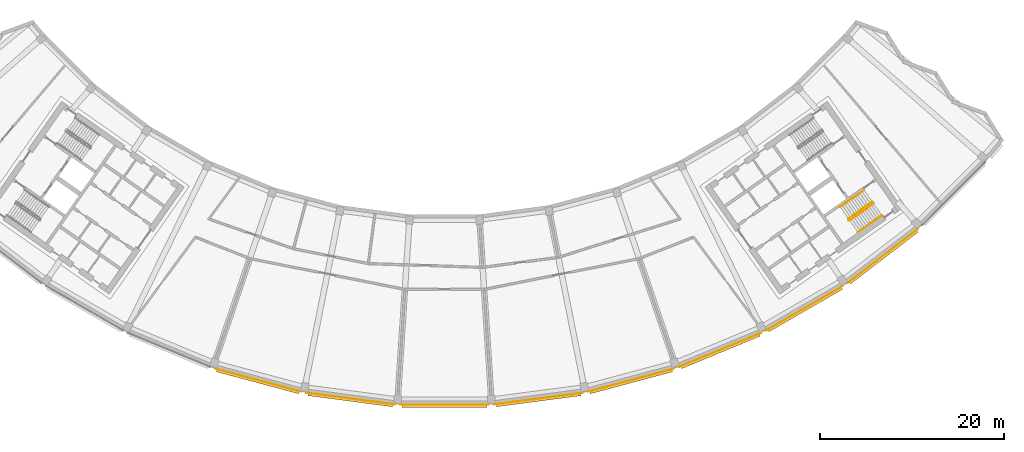
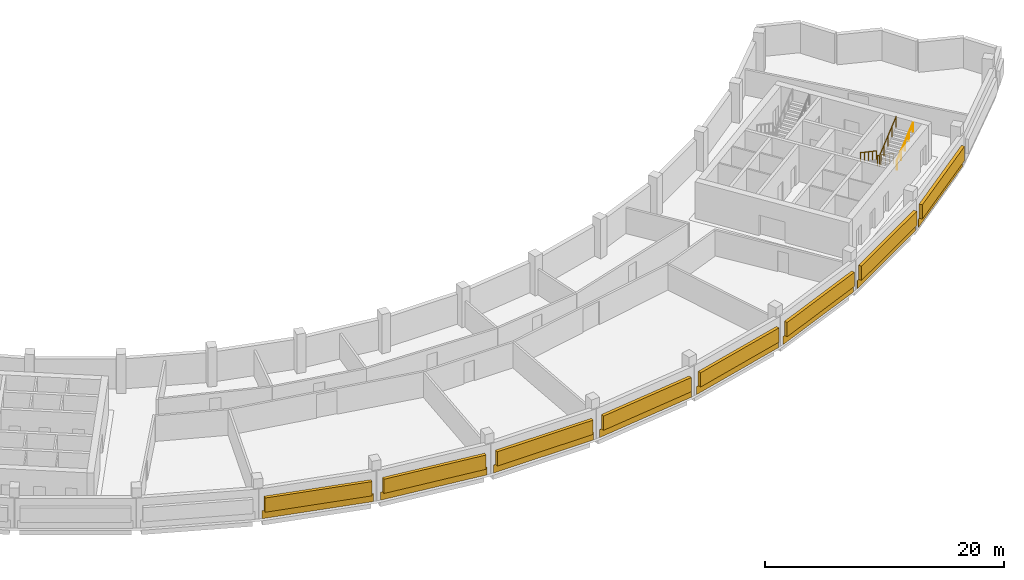
# One storey, part 10 of 11: 8 coverings, 8 shading devices, 4 railings.
"""IFC4 building model written with IfcOpenShell, lengths in metres."""

from ifc_helpers import new_model, si_unit, direction, frame, origin, origin_2d, place, context, subcontext, project, spatial, rectangle, circle, extrude, material, layer, layer_set, type_object, element, save


model = new_model("IFC4")

# Units and contexts
model_context = context("Model", 3, precision=1e-05, world=origin(), true_north=direction((0.0, 1.0)))
body_context = subcontext(model_context, "Body", "Model", "MODEL_VIEW")
ifc_project = project(units=[si_unit("LENGTHUNIT", "METRE"), si_unit("AREAUNIT", "SQUARE_METRE"), si_unit("VOLUMEUNIT", "CUBIC_METRE"), si_unit("PLANEANGLEUNIT", "RADIAN"), si_unit("MASSUNIT", "GRAM", prefix="KILO")], contexts=[model_context])

# Site, building, storey
site_placement = place(None, origin())
site = spatial("IfcSite", under=ifc_project, at=site_placement, CompositionType="ELEMENT")
building_placement = place(site_placement, origin())
building = spatial("IfcBuilding", under=site, at=building_placement, Name="Qamariyya Broadcast Tower", CompositionType="ELEMENT")
storey_placement = place(building_placement, frame((0.0, 0.0, 306.699951171875)))
storey = spatial("IfcBuildingStorey", under=building, at=storey_placement, Name="L74", CompositionType="ELEMENT", Elevation=306.699951171875)

# Railings
ifc_material_1 = material(Name="Painted steel", Category="steel")
railing_type_1 = type_object("IfcRailingType", Name="Stair guard", PredefinedType="GUARDRAIL", material=ifc_material_1)
railing_1_placement = place(storey_placement, frame((46.48095703125, -56.14306640625, 0.166748046875)))
element("IfcRailing", 1, at=railing_1_placement, inside=storey, type_object=railing_type_1, Name="L74 ST-E1 stair guard 1", PredefinedType="GUARDRAIL", context=body_context, shape_type="SweptSolid", body=[
    extrude(circle(Radius=0.02392578125, at=origin_2d()), frame((0.0, 0.0, 1.076171875), z_axis=(-0.710227693972, -0.497285465629, 0.498280832854), x_axis=(0.573559936391, -0.819163597438, 0.0)), (0.0, 0.0, 1.0), 3.67919921875),
    extrude(circle(Radius=0.02392578125, at=origin_2d()), frame((-2.613037109375, -1.82958984375, 2.9091796875), z_axis=(-0.176149252506, -0.984363469884, 0.0), x_axis=(0.984363469884, -0.176149252506, 0.0)), (0.0, 0.0, 1.0), 0.07080078125),
    extrude(circle(Radius=0.02392578125, at=origin_2d()), frame((-2.62548828125, -1.899169921875, 2.9091796875), z_axis=(0.57368046593, -0.819079192149, 0.0), x_axis=(0.819079192149, 0.57368046593, 0.0)), (0.0, 0.0, 1.0), 0.150146484375),
    extrude(circle(Radius=0.02099609375, at=origin_2d()), origin(), (0.0, 0.0, 1.0), 1.052001953125),
    extrude(circle(Radius=0.02099609375, at=origin_2d()), frame((-0.6533203125, -0.45751953125, 0.458251953125)), (0.0, 0.0, 1.0), 1.052001953125),
    extrude(circle(Radius=0.02099609375, at=origin_2d()), frame((-1.306640625, -0.914794921875, 0.91650390625)), (0.0, 0.0, 1.0), 1.052001953125),
    extrude(circle(Radius=0.02099609375, at=origin_2d()), frame((-1.959716796875, -1.3720703125, 1.375)), (0.0, 0.0, 1.0), 1.052001953125),
    extrude(circle(Radius=0.02099609375, at=origin_2d()), frame((-2.613037109375, -1.82958984375, 1.833251953125)), (0.0, 0.0, 1.0), 1.052001953125),
    extrude(circle(Radius=0.02099609375, at=origin_2d()), frame((-2.62548828125, -1.899169921875, 1.833251953125)), (0.0, 0.0, 1.0), 1.052001953125),
    extrude(circle(Radius=0.02099609375, at=origin_2d()), frame((-2.539306640625, -2.022216796875, 1.833251953125)), (0.0, 0.0, 1.0), 1.052001953125),
])
railing_2_placement = place(storey_placement, frame((44.01123046875, -58.177490234375, 2.166748046875)))
element("IfcRailing", 2, at=railing_2_placement, inside=storey, type_object=railing_type_1, Name="L74 ST-E1 stair guard 2", PredefinedType="GUARDRAIL", context=body_context, shape_type="SweptSolid", body=[
    extrude(circle(Radius=0.02392578125, at=origin_2d()), frame((0.0, 0.0, 1.076171875), z_axis=(0.710204256923, 0.497335411159, 0.498264389913), x_axis=(-0.573611290809, 0.819127637829, 0.0)), (0.0, 0.0, 1.0), 3.67919921875),
    extrude(circle(Radius=0.02099609375, at=origin_2d()), origin(), (0.0, 0.0, 1.0), 1.052001953125),
    extrude(circle(Radius=0.02099609375, at=origin_2d()), frame((0.6533203125, 0.45751953125, 0.458251953125)), (0.0, 0.0, 1.0), 1.052001953125),
    extrude(circle(Radius=0.02099609375, at=origin_2d()), frame((1.306640625, 0.9150390625, 0.91650390625)), (0.0, 0.0, 1.0), 1.052001953125),
    extrude(circle(Radius=0.02099609375, at=origin_2d()), frame((1.959716796875, 1.372314453125, 1.375)), (0.0, 0.0, 1.0), 1.052001953125),
    extrude(circle(Radius=0.02099609375, at=origin_2d()), frame((2.613037109375, 1.829833984375, 1.833251953125)), (0.0, 0.0, 1.0), 1.052001953125),
])
ifc_material_2 = material(Name="Stainless steel", Category="steel")
railing_type_2 = type_object("IfcRailingType", Name="Stair handrail", PredefinedType="HANDRAIL", material=ifc_material_2)
railing_3_placement = place(storey_placement, frame((45.591796875, -54.873291015625, 0.166748046875)))
element("IfcRailing", 3, at=railing_3_placement, inside=storey, type_object=railing_type_2, Name="L74 ST-E1 stair handrail 1", PredefinedType="HANDRAIL", context=body_context, shape_type="SweptSolid", body=[
    extrude(circle(Radius=0.02392578125, at=origin_2d()), frame((0.0, 0.0, 0.8759765625), z_axis=(-0.710227693972, -0.497285465629, 0.498280832854), x_axis=(0.573559936391, -0.819163597438, 0.0)), (0.0, 0.0, 1.0), 3.67919921875),
    extrude(circle(Radius=0.02099609375, at=origin_2d()), origin(), (0.0, 0.0, 1.0), 0.851806640625),
    extrude(circle(Radius=0.02099609375, at=origin_2d()), frame((-0.6533203125, -0.45751953125, 0.458251953125)), (0.0, 0.0, 1.0), 0.851806640625),
    extrude(circle(Radius=0.02099609375, at=origin_2d()), frame((-1.306640625, -0.914794921875, 0.91650390625)), (0.0, 0.0, 1.0), 0.851806640625),
    extrude(circle(Radius=0.02099609375, at=origin_2d()), frame((-1.959716796875, -1.3720703125, 1.375)), (0.0, 0.0, 1.0), 0.851806640625),
    extrude(circle(Radius=0.02099609375, at=origin_2d()), frame((-2.613037109375, -1.82958984375, 1.833251953125)), (0.0, 0.0, 1.0), 0.851806640625),
])
railing_4_placement = place(storey_placement, frame((44.900390625, -59.447265625, 2.166748046875)))
element("IfcRailing", 4, at=railing_4_placement, inside=storey, type_object=railing_type_2, Name="L74 ST-E1 stair handrail 2", PredefinedType="HANDRAIL", context=body_context, shape_type="SweptSolid", body=[
    extrude(circle(Radius=0.02392578125, at=origin_2d()), frame((0.0, 0.0, 0.8759765625), z_axis=(0.710204256923, 0.497335411159, 0.498264389913), x_axis=(-0.573611290809, 0.819127637829, 0.0)), (0.0, 0.0, 1.0), 3.67919921875),
    extrude(circle(Radius=0.02099609375, at=origin_2d()), origin(), (0.0, 0.0, 1.0), 0.851806640625),
    extrude(circle(Radius=0.02099609375, at=origin_2d()), frame((0.6533203125, 0.45751953125, 0.458251953125)), (0.0, 0.0, 1.0), 0.851806640625),
    extrude(circle(Radius=0.02099609375, at=origin_2d()), frame((1.306640625, 0.9150390625, 0.91650390625)), (0.0, 0.0, 1.0), 0.851806640625),
    extrude(circle(Radius=0.02099609375, at=origin_2d()), frame((1.959716796875, 1.372314453125, 1.375)), (0.0, 0.0, 1.0), 0.851806640625),
    extrude(circle(Radius=0.02099609375, at=origin_2d()), frame((2.613037109375, 1.829833984375, 1.833251953125)), (0.0, 0.0, 1.0), 0.851806640625),
])

# Coverings
ifc_material_3 = material(Name="Glazed terracotta", Category="masonry")
ifc_layer = layer(ifc_material_3, 0.030029296875)
ifc_layer_set = layer_set([ifc_layer], Name="Terracotta cladding panel 30, crown band")
covering_type = type_object("IfcCoveringType", Name="Terracotta cladding panel 30, crown band", PredefinedType="CLADDING", material=ifc_layer_set)
for number, where, z_axis, x_axis, name in (
    (5, (-20.239013671875, -75.53271484375, 0.0), (0.0, 0.0, 1.0), (0.965925826289, -0.258819045103, 0.0), "e-cl-L74-05"),
    (6, (-10.206787109375, -77.5283203125, 0.0), (0.0, 0.0, 1.0), (0.991444861374, -0.13052619222, 0.0), "e-cl-L74-06"),
    (7, (0.0, -78.197265625, 0.0), (0.0, 0.0, 1.0), (1.0, 0.0, 0.0), "e-cl-L74-07"),
    (8, (10.206787109375, -77.5283203125, 0.0), (0.0, 0.0, 1.0), (0.991444861374, 0.13052619222, 0.0), "e-cl-L74-08"),
    (9, (20.239013671875, -75.53271484375, 0.0), (0.0, 0.0, 1.0), (0.965925826289, 0.258819045103, 0.0), "e-cl-L74-09"),
    (10, (29.9248046875, -72.244873046875, 0.0), (0.0, 0.0, 1.0), (0.923879532511, 0.382683432365, 0.0), "e-cl-L74-10"),
    (11, (39.0986328125, -67.720703125, 0.0), (0.0, 0.0, 1.0), (0.866025403784, 0.5, 0.0), "e-cl-L74-11"),
    (12, (47.603515625, -62.0380859375, 0.0), (0.0, 0.0, 1.0), (0.793353340291, 0.608761429009, 0.0), "e-cl-L74-12"),
):
    element("IfcCovering", number, at=place(storey_placement, frame(where, z_axis=z_axis, x_axis=x_axis)), inside=storey, type_object=covering_type, Name=name, PredefinedType="CLADDING", context=body_context, shape_type="SweptSolid", body=[
        extrude(rectangle(XDim=9.648681640625, YDim=0.030029296875, at=origin_2d()), origin(), (0.0, 0.0, 1.0), 0.800048828125),
    ])

# Shading devices
shading_device_type = type_object("IfcShadingDeviceType", Name="Terracotta louvre bank", PredefinedType="USERDEFINED", material=ifc_material_3)
for number, where, z_axis, x_axis, name in (
    (13, (-20.27392578125, -75.6630859375, 0.80029296875), (0.0, 0.0, 1.0), (0.965925826289, -0.258819045103, 0.0), "e-lv-L74-05"),
    (14, (-10.224365234375, -77.662109375, 0.80029296875), (0.0, 0.0, 1.0), (0.991444861374, -0.13052619222, 0.0), "e-lv-L74-06"),
    (15, (0.0, -78.332275390625, 0.80029296875), (0.0, 0.0, 1.0), (1.0, 0.0, 0.0), "e-lv-L74-07"),
    (16, (10.224365234375, -77.662109375, 0.80029296875), (0.0, 0.0, 1.0), (0.991444861374, 0.13052619222, 0.0), "e-lv-L74-08"),
    (17, (20.27392578125, -75.6630859375, 0.80029296875), (0.0, 0.0, 1.0), (0.965925826289, 0.258819045103, 0.0), "e-lv-L74-09"),
    (18, (29.9765625, -72.36962890625, 0.80029296875), (0.0, 0.0, 1.0), (0.923879532511, 0.382683432365, 0.0), "e-lv-L74-10"),
    (19, (39.166015625, -67.837646484375, 0.80029296875), (0.0, 0.0, 1.0), (0.866025403784, 0.5, 0.0), "e-lv-L74-11"),
    (20, (47.685546875, -62.145263671875, 0.80029296875), (0.0, 0.0, 1.0), (0.793353340291, 0.608761429009, 0.0), "e-lv-L74-12"),
):
    element("IfcShadingDevice", number, at=place(storey_placement, frame(where, z_axis=z_axis, x_axis=x_axis)), inside=storey, type_object=shading_device_type, Name=name, ObjectType="LOUVRE", PredefinedType="USERDEFINED", context=body_context, shape_type="SweptSolid", body=[
        extrude(rectangle(XDim=9.248779296875, YDim=0.300048828125, at=origin_2d()), origin(), (0.0, 0.0, 1.0), 1.449951171875),
    ])

save(model, "model.ifc")
